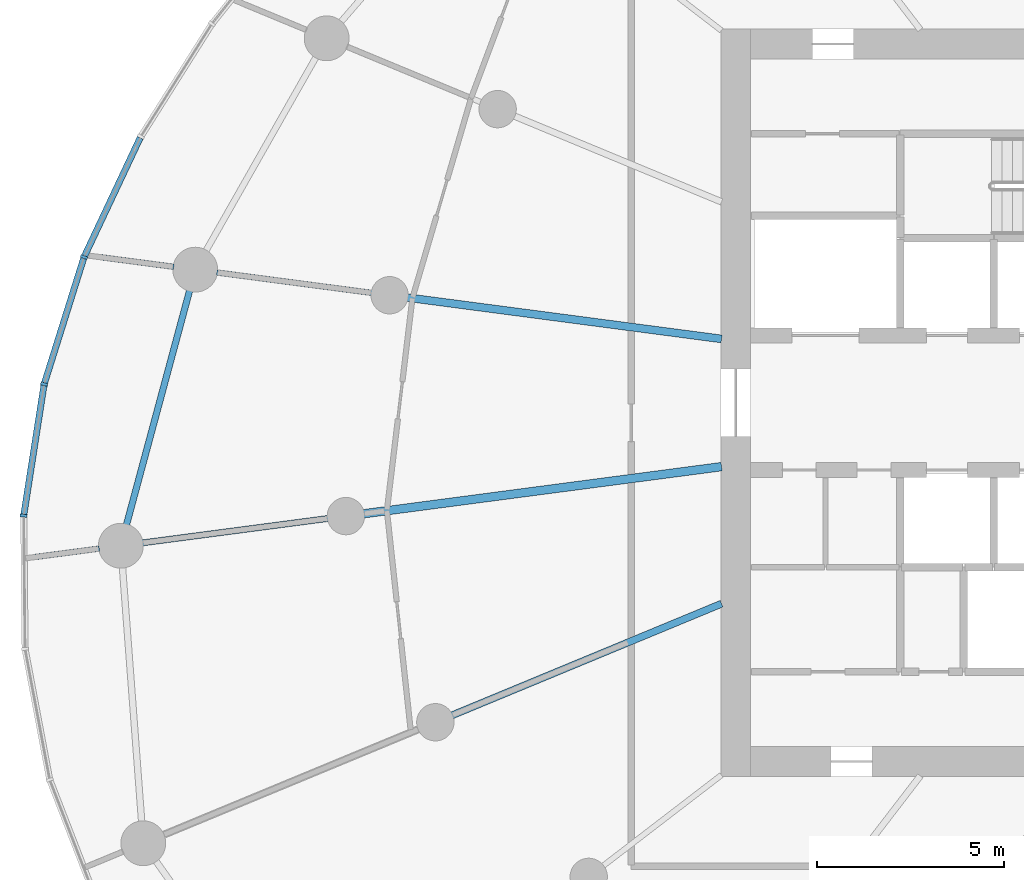
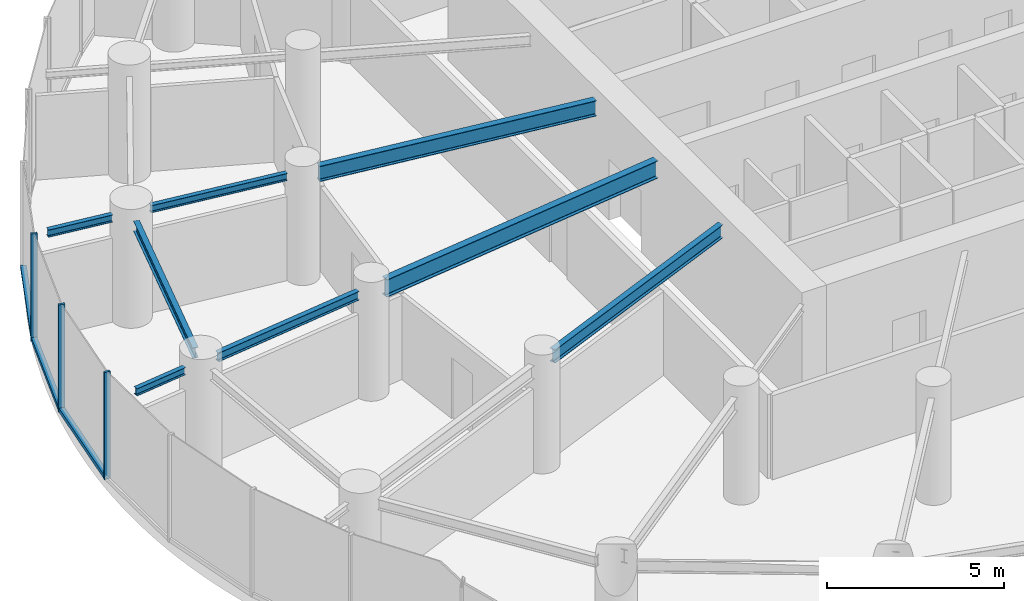
# One storey, part 3 of 21: 8 beams, 6 members, 1 element without a shape of its own.
"""IFC4 building model written with IfcOpenShell, lengths in metres."""

from ifc_helpers import new_model, si_unit, direction, frame, origin, origin_2d, place, context, subcontext, project, spatial, rectangle, i_section, extrude, source, transform, mapped, material, layer, layer_set, material_profile, profile_set, type_object, element, aggregate, save


model = new_model("IFC4")

# Units and contexts
model_context = context("Model", 3, precision=1e-05, world=origin(), true_north=direction((0.0, 1.0)))
body_context = subcontext(model_context, "Body", "Model", "MODEL_VIEW")
ifc_project = project(units=[si_unit("LENGTHUNIT", "METRE"), si_unit("AREAUNIT", "SQUARE_METRE"), si_unit("VOLUMEUNIT", "CUBIC_METRE"), si_unit("PLANEANGLEUNIT", "RADIAN"), si_unit("MASSUNIT", "GRAM", prefix="KILO")], contexts=[model_context])

# Site, building, storey
site_placement = place(None, origin())
site = spatial("IfcSite", under=ifc_project, at=site_placement, CompositionType="ELEMENT")
building_placement = place(site_placement, origin())
building = spatial("IfcBuilding", under=site, at=building_placement, Name="Spindrift Exchange Tower", CompositionType="ELEMENT")
storey_placement = place(building_placement, frame((0.0, 0.0, 83.89990234375)))
storey = spatial("IfcBuildingStorey", under=building, at=storey_placement, Name="L19", CompositionType="ELEMENT", Elevation=83.89990234375)

# Beams
ifc_material_1 = material(Name="Steel Grade 300", Category="steel")
ifc_material_profile_1 = material_profile(ifc_material_1, i_section(OverallWidth=0.22802734375, OverallDepth=0.60693359375, WebThickness=0.01123046875, FlangeThickness=0.017333984375, FilletRadius=0.013916015625, at=origin_2d()), Name="610UB113")
ifc_profile_set_1 = profile_set([ifc_material_profile_1], Name="Steel Grade 300")
beam_type_1 = type_object("IfcBeamType", Name="Floor Beam 610UB113 Steel Grade 300", PredefinedType="BEAM", material=ifc_profile_set_1)
shared_shape_1 = source(origin(), body_context, "Body", "SweptSolid", [
    extrude(i_section(OverallWidth=0.22802734375, OverallDepth=0.60693359375, WebThickness=0.01123046875, FlangeThickness=0.017333984375, FilletRadius=0.013916015625, at=origin_2d()), origin(), (0.0, 0.0, 1.0), 9.660400390625),
])
beam_1_placement = place(storey_placement, frame((39.019775390625, 46.291015625, 3.396484375), z_axis=(-0.99144767089, -0.130504850054, 0.0), x_axis=(0.130504850054, -0.99144767089, 0.0)))
element("IfcBeam", 1, at=beam_1_placement, inside=storey, type_object=beam_type_1, Name="L19 radial beam R13A", PredefinedType="BEAM", context=body_context, shape_type="MappedRepresentation", body=[
    mapped(shared_shape_1, transform((0.0, 0.0, 0.0), scale=1.0)),
])
ifc_material_profile_2 = material_profile(ifc_material_1, i_section(OverallWidth=0.18994140625, OverallDepth=0.45703125, WebThickness=0.009033203125, FlangeThickness=0.014404296875, FilletRadius=0.013916015625, at=origin_2d()), Name="460UB74.6")
ifc_profile_set_2 = profile_set([ifc_material_profile_2], Name="Steel Grade 300")
beam_type_2 = type_object("IfcBeamType", Name="Floor Beam 460UB74.6 Steel Grade 300", PredefinedType="BEAM", material=ifc_profile_set_2)
shared_shape_2 = source(origin(), body_context, "Body", "SweptSolid", [
    extrude(i_section(OverallWidth=0.18994140625, OverallDepth=0.45703125, WebThickness=0.009033203125, FlangeThickness=0.014404296875, FilletRadius=0.013916015625, at=origin_2d()), origin(), (0.0, 0.0, 1.0), 7.808837890625),
])
beam_2_placement = place(storey_placement, frame((39.0185546875, 42.622802734375, 3.4716796875), z_axis=(-0.92387965154, -0.382683145003, 0.0), x_axis=(0.382683145003, -0.92387965154, 0.0)))
element("IfcBeam", 2, at=beam_2_placement, inside=storey, type_object=beam_type_2, Name="L19 radial beam R14A", PredefinedType="BEAM", context=body_context, shape_type="MappedRepresentation", body=[
    mapped(shared_shape_2, transform((0.0, 0.0, 0.0), scale=1.0)),
])
ifc_material_profile_3 = material_profile(ifc_material_1, i_section(OverallWidth=0.208984375, OverallDepth=0.532958984375, WebThickness=0.01025390625, FlangeThickness=0.015625, FilletRadius=0.013916015625, at=origin_2d()), Name="530UB92.4")
ifc_profile_set_3 = profile_set([ifc_material_profile_3], Name="Steel Grade 300")
beam_type_3 = type_object("IfcBeamType", Name="Floor Beam 530UB92.4 Steel Grade 300", PredefinedType="BEAM", material=ifc_profile_set_3)
shared_shape_3 = source(origin(), body_context, "Body", "SweptSolid", [
    extrude(i_section(OverallWidth=0.208984375, OverallDepth=0.532958984375, WebThickness=0.01025390625, FlangeThickness=0.015625, FilletRadius=0.013916015625, at=origin_2d()), origin(), (0.0, 0.0, 1.0), 8.4794921875),
])
beam_3_placement = place(storey_placement, frame((39.019775390625, 49.708984375, 3.43359375), z_axis=(-0.991446551951, 0.13051335037, 0.0), x_axis=(-0.13051335037, -0.991446551951, 0.0)))
element("IfcBeam", 3, at=beam_3_placement, inside=storey, type_object=beam_type_3, Name="L19 radial beam R12A", PredefinedType="BEAM", context=body_context, shape_type="MappedRepresentation", body=[
    mapped(shared_shape_3, transform((0.0, 0.0, 0.0), scale=1.0)),
])
ifc_material_profile_4 = material_profile(ifc_material_1, i_section(OverallWidth=0.1650390625, OverallDepth=0.303955078125, WebThickness=0.006103515625, FlangeThickness=0.01025390625, FilletRadius=0.011474609375, at=origin_2d()), Name="310UB40.4")
ifc_profile_set_4 = profile_set([ifc_material_profile_4], Name="Steel Grade 300")
beam_type_4 = type_object("IfcBeamType", Name="Floor Beam 310UB40.4 Steel Grade 300", PredefinedType="BEAM", material=ifc_profile_set_4)
shared_shape_4 = source(origin(), body_context, "Body", "SweptSolid", [
    extrude(i_section(OverallWidth=0.1650390625, OverallDepth=0.303955078125, WebThickness=0.006103515625, FlangeThickness=0.01025390625, FilletRadius=0.011474609375, at=origin_2d()), origin(), (0.0, 0.0, 1.0), 5.014404296875),
])
beam_4_placement = place(storey_placement, frame((28.490234375, 44.90478515625, 3.548095703125), z_axis=(-0.99145015202, -0.13048599948, 0.0), x_axis=(0.13048599948, -0.99145015202, 0.0)))
element("IfcBeam", 4, at=beam_4_placement, inside=storey, type_object=beam_type_4, Name="L19 radial beam R13B", PredefinedType="BEAM", context=body_context, shape_type="MappedRepresentation", body=[
    mapped(shared_shape_4, transform((0.0, 0.0, 0.0), scale=1.0)),
])
ifc_material_profile_5 = material_profile(ifc_material_1, i_section(OverallWidth=0.14599609375, OverallDepth=0.251953125, WebThickness=0.006103515625, FlangeThickness=0.008544921875, FilletRadius=0.011962890625, at=origin_2d()), Name="250UB31.4")
ifc_profile_set_5 = profile_set([ifc_material_profile_5], Name="Steel Grade 300")
beam_type_5 = type_object("IfcBeamType", Name="Floor Beam 250UB31.4 Steel Grade 300", PredefinedType="BEAM", material=ifc_profile_set_5)
shared_shape_5 = source(origin(), body_context, "Body", "SweptSolid", [
    extrude(i_section(OverallWidth=0.14599609375, OverallDepth=0.251953125, WebThickness=0.006103515625, FlangeThickness=0.008544921875, FilletRadius=0.011962890625, at=origin_2d()), origin(), (0.0, 0.0, 1.0), 4.186279296875),
])
beam_5_placement = place(storey_placement, frame((29.660888671875, 50.94091796875, 3.57421875), z_axis=(-0.991445559167, 0.130520891848, 0.0), x_axis=(-0.130520891848, -0.991445559167, 0.0)))
element("IfcBeam", 5, at=beam_5_placement, inside=storey, type_object=beam_type_5, Name="L19 radial beam R12B", PredefinedType="BEAM", context=body_context, shape_type="MappedRepresentation", body=[
    mapped(shared_shape_5, transform((0.0, 0.0, 0.0), scale=1.0)),
])
ifc_material_profile_6 = material_profile(ifc_material_1, i_section(OverallWidth=0.172119140625, OverallDepth=0.35888671875, WebThickness=0.008056640625, FlangeThickness=0.012939453125, FilletRadius=0.013916015625, at=origin_2d()), Name="360UB56.7")
ifc_profile_set_6 = profile_set([ifc_material_profile_6], Name="Steel Grade 300")
beam_type_6 = type_object("IfcBeamType", Name="Edge Beam 360UB56.7 Steel Grade 300", PredefinedType="SPANDREL", material=ifc_profile_set_6)
shared_shape_6 = source(origin(), body_context, "Body", "SweptSolid", [
    extrude(i_section(OverallWidth=0.172119140625, OverallDepth=0.35888671875, WebThickness=0.008056640625, FlangeThickness=0.012939453125, FilletRadius=0.013916015625, at=origin_2d()), origin(), (0.0, 0.0, 1.0), 6.4921875),
])
beam_6_placement = place(storey_placement, frame((24.784423828125, 51.003173828125, 3.5205078125), z_axis=(-0.260262058381, -0.965538016324, 0.0), x_axis=(0.965538016324, -0.260262058381, 0.0)))
element("IfcBeam", 6, at=beam_6_placement, inside=storey, type_object=beam_type_6, Name="L19 edge beam E12", PredefinedType="SPANDREL", context=body_context, shape_type="MappedRepresentation", body=[
    mapped(shared_shape_6, transform((0.0, 0.0, 0.0), scale=1.0)),
])
ifc_material_profile_7 = material_profile(ifc_material_1, i_section(OverallWidth=0.14599609375, OverallDepth=0.251953125, WebThickness=0.006103515625, FlangeThickness=0.008544921875, FilletRadius=0.011962890625, at=origin_2d()), Name="250UB31.4")
ifc_profile_set_7 = profile_set([ifc_material_profile_7], Name="Steel Grade 300")
beam_type_7 = type_object("IfcBeamType", Name="Cantilever Beam 250UB31.4 Steel Grade 300", PredefinedType="BEAM", material=ifc_profile_set_7)
shared_shape_7 = source(origin(), body_context, "Body", "SweptSolid", [
    extrude(i_section(OverallWidth=0.14599609375, OverallDepth=0.251953125, WebThickness=0.006103515625, FlangeThickness=0.008544921875, FilletRadius=0.011962890625, at=origin_2d()), origin(), (0.0, 0.0, 1.0), 1.738037109375),
])
beam_7_placement = place(storey_placement, frame((22.36865234375, 44.09912109375, 3.57421875), z_axis=(-0.991430373344, -0.130636192577, 0.0), x_axis=(0.130636192577, -0.991430373344, 0.0)))
element("IfcBeam", 7, at=beam_7_placement, inside=storey, type_object=beam_type_7, Name="L19 cantilever beam R13T", PredefinedType="BEAM", context=body_context, shape_type="MappedRepresentation", body=[
    mapped(shared_shape_7, transform((0.0, 0.0, 0.0), scale=1.0)),
])
shared_shape_8 = source(origin(), body_context, "Body", "SweptSolid", [
    extrude(i_section(OverallWidth=0.14599609375, OverallDepth=0.251953125, WebThickness=0.006103515625, FlangeThickness=0.008544921875, FilletRadius=0.011962890625, at=origin_2d()), origin(), (0.0, 0.0, 1.0), 1.974609375),
])
beam_8_placement = place(storey_placement, frame((24.360595703125, 51.638916015625, 3.57421875), z_axis=(-0.991456399539, 0.130438521201, 0.0), x_axis=(-0.130438521201, -0.991456399539, 0.0)))
element("IfcBeam", 8, at=beam_8_placement, inside=storey, type_object=beam_type_7, Name="L19 cantilever beam R12T", PredefinedType="BEAM", context=body_context, shape_type="MappedRepresentation", body=[
    mapped(shared_shape_8, transform((0.0, 0.0, 0.0), scale=1.0)),
])

# Curtain wall, members
ifc_material_2 = material(Name="Fritted laminated glass with bronze frame", Category="glass")
ifc_layer = layer(ifc_material_2, 0.18994140625)
ifc_layer_set = layer_set([ifc_layer], Name="ZONE 2 BRONZE FRITTED WALL")
curtain_wall_type = type_object("IfcCurtainWallType", Name="ZONE 2 BRONZE FRITTED WALL", PredefinedType="NOTDEFINED", material=ifc_layer_set)
curtain_wall_placement = place(storey_placement, origin())
curtain_wall = element("IfcCurtainWall", 9, at=curtain_wall_placement, inside=storey, type_object=curtain_wall_type, Name="L19 Zone 2 Bronze Fritted Wall run 3", PredefinedType="NOTDEFINED")
ifc_material_3 = material(Name="Bronze anodised aluminium", Category="aluminium")
ifc_material_profile_8 = material_profile(ifc_material_3, rectangle(XDim=0.169921875, YDim=0.139892578125, at=origin_2d()), Name="ZONE 2 BRONZE FRITTED WALL TRANSOM 170X140")
ifc_profile_set_8 = profile_set([ifc_material_profile_8], Name="Bronze anodised aluminium")
member_type_1 = type_object("IfcMemberType", Name="ZONE 2 BRONZE FRITTED WALL TRANSOM 170X140", PredefinedType="USERDEFINED", material=ifc_profile_set_8)
shared_shape_9 = source(origin(), body_context, "Body", "SweptSolid", [
    extrude(rectangle(XDim=0.169921875, YDim=0.139892578125, at=origin_2d()), origin(), (0.0, 0.0, 1.0), 3.489501953125),
])
member_1_placement = place(storey_placement, frame((21.947265625, 51.864013671875, 0.070068359375), z_axis=(-0.299577353323, -0.954072014775, 0.0), x_axis=(0.954072014775, -0.299577353323, 0.0)))
member_1 = element("IfcMember", 10, at=member_1_placement, type_object=member_type_1, Name="L19 transom CW-2.14", ObjectType="TRANSOM", PredefinedType="USERDEFINED", context=body_context, shape_type="MappedRepresentation", body=[
    mapped(shared_shape_9, transform((0.0, 0.0, 0.0), scale=1.0)),
])
ifc_material_profile_9 = material_profile(ifc_material_3, rectangle(XDim=0.074951171875, YDim=0.18994140625, at=origin_2d()), Name="ZONE 2 BRONZE FRITTED WALL MULLION 75X190")
ifc_profile_set_9 = profile_set([ifc_material_profile_9], Name="Bronze anodised aluminium")
member_type_2 = type_object("IfcMemberType", Name="ZONE 2 BRONZE FRITTED WALL MULLION 75X190", PredefinedType="MULLION", material=ifc_profile_set_9)
shared_shape_10 = source(origin(), body_context, "Body", "SweptSolid", [
    extrude(rectangle(XDim=0.074951171875, YDim=0.18994140625, at=origin_2d()), origin(), (0.0, 0.0, 1.0), 3.7001953125),
])
member_2_placement = place(storey_placement, frame((21.95849609375, 51.89990234375, 0.0), z_axis=(0.0, 0.0, 1.0), x_axis=(-0.363553811412, -0.931573199597, 0.0)))
member_2 = element("IfcMember", 11, at=member_2_placement, type_object=member_type_2, Name="L19 mullion CW-2.14", PredefinedType="MULLION", context=body_context, shape_type="MappedRepresentation", body=[
    mapped(shared_shape_10, transform((0.0, 0.0, 0.0), scale=1.0)),
])
member_3_placement = place(storey_placement, frame((20.890380859375, 48.498779296875, 0.0), z_axis=(0.0, 0.0, 1.0), x_axis=(-0.227290078125, -0.973827099842, 0.0)))
member_3 = element("IfcMember", 12, at=member_3_placement, type_object=member_type_2, Name="L19 mullion CW-2.15", PredefinedType="MULLION", context=body_context, shape_type="MappedRepresentation", body=[
    mapped(shared_shape_10, transform((0.0, 0.0, 0.0), scale=1.0)),
])
member_4_placement = place(storey_placement, frame((20.342529296875, 44.977294921875, 0.0), z_axis=(0.0, 0.0, 1.0), x_axis=(-0.072140476333, -0.997394481474, 0.0)))
member_4 = element("IfcMember", 13, at=member_4_placement, type_object=member_type_2, Name="L19 mullion CW-2.16", PredefinedType="MULLION", context=body_context, shape_type="MappedRepresentation", body=[
    mapped(shared_shape_10, transform((0.0, 0.0, 0.0), scale=1.0)),
])
shared_shape_11 = source(origin(), body_context, "Body", "SweptSolid", [
    extrude(rectangle(XDim=0.169921875, YDim=0.139892578125, at=origin_2d()), origin(), (0.0, 0.0, 1.0), 3.490234375),
])
member_5_placement = place(storey_placement, frame((23.460693359375, 55.091796875, 0.070068359375), z_axis=(-0.425850934134, -0.904793336568, 0.0), x_axis=(0.904793336568, -0.425850934134, 0.0)))
member_5 = element("IfcMember", 14, at=member_5_placement, type_object=member_type_1, Name="L19 transom CW-2.13", ObjectType="TRANSOM", PredefinedType="USERDEFINED", context=body_context, shape_type="MappedRepresentation", body=[
    mapped(shared_shape_11, transform((0.0, 0.0, 0.0), scale=1.0)),
])
shared_shape_12 = source(origin(), body_context, "Body", "SweptSolid", [
    extrude(rectangle(XDim=0.169921875, YDim=0.139892578125, at=origin_2d()), origin(), (0.0, 0.0, 1.0), 3.4892578125),
])
member_6_placement = place(storey_placement, frame((20.884765625, 48.4619140625, 0.070068359375), z_axis=(-0.153723705905, -0.988113871091, 0.0), x_axis=(0.988113871091, -0.153723705905, 0.0)))
member_6 = element("IfcMember", 15, at=member_6_placement, type_object=member_type_1, Name="L19 transom CW-2.15", ObjectType="TRANSOM", PredefinedType="USERDEFINED", context=body_context, shape_type="MappedRepresentation", body=[
    mapped(shared_shape_12, transform((0.0, 0.0, 0.0), scale=1.0)),
])
aggregate(curtain_wall, [member_5, member_2, member_1, member_3, member_6, member_4])

save(model, "model.ifc")
